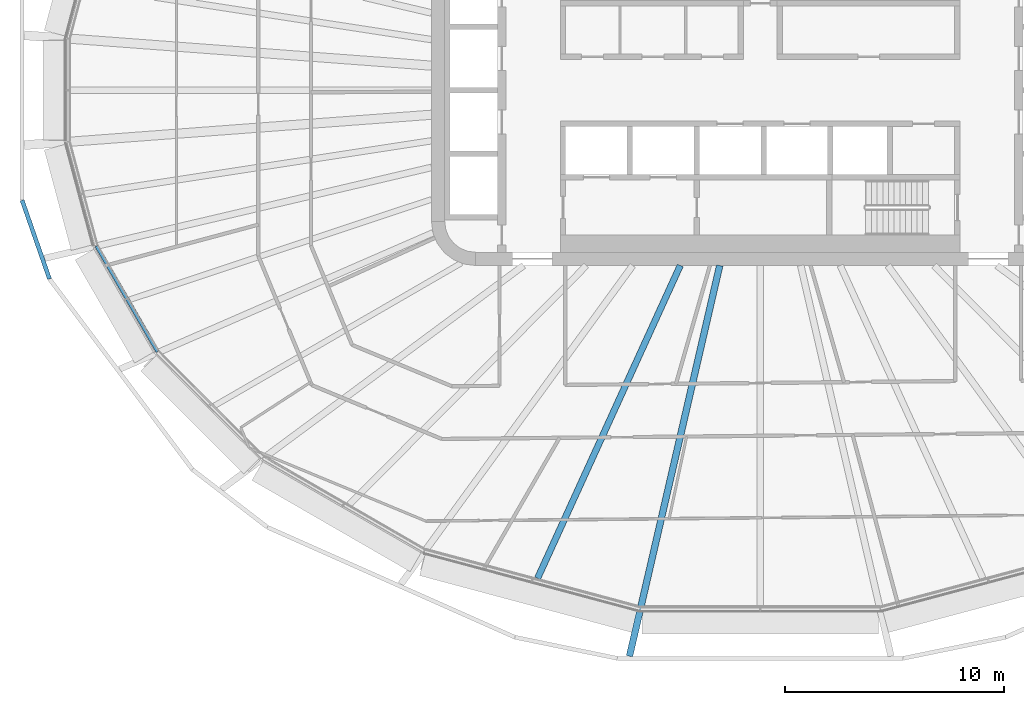
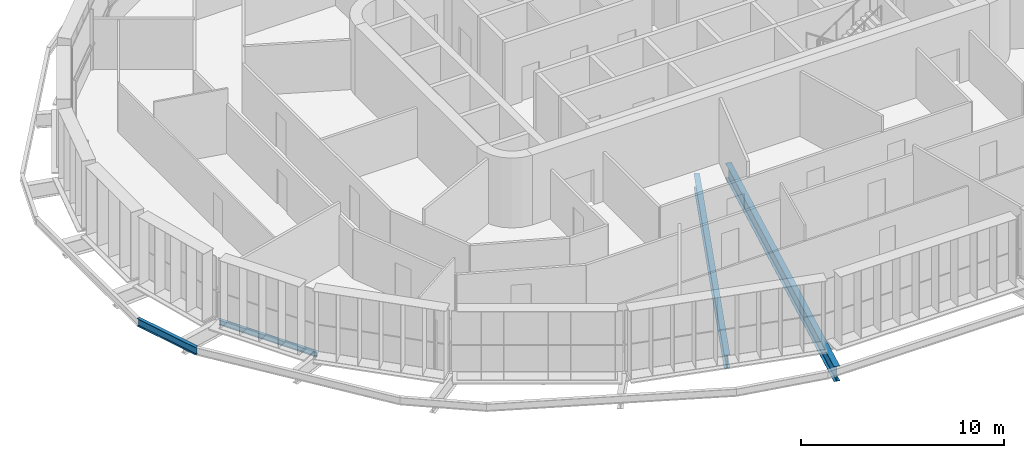
# One storey, part 2 of 26: 4 beams.
"""IFC4 building model written with IfcOpenShell, lengths in metres."""

from ifc_helpers import new_model, si_unit, direction, frame, origin, origin_2d, place, context, subcontext, project, spatial, i_section, extrude, material, material_profile, profile_set, type_object, element, save


model = new_model("IFC4")

# Units and contexts
model_context = context("Model", 3, precision=1e-05, world=origin(), true_north=direction((0.0, 1.0)))
body_context = subcontext(model_context, "Body", "Model", "MODEL_VIEW")
ifc_project = project(units=[si_unit("LENGTHUNIT", "METRE"), si_unit("AREAUNIT", "SQUARE_METRE"), si_unit("VOLUMEUNIT", "CUBIC_METRE"), si_unit("PLANEANGLEUNIT", "RADIAN"), si_unit("MASSUNIT", "GRAM", prefix="KILO")], contexts=[model_context])

# Site, building, storey
site_placement = place(None, origin())
site = spatial("IfcSite", under=ifc_project, at=site_placement, CompositionType="ELEMENT")
building_placement = place(site_placement, origin())
building = spatial("IfcBuilding", under=site, at=building_placement, Name="Sahrelin Media Tower", CompositionType="ELEMENT")
storey_placement = place(building_placement, frame((0.0, 0.0, 92.39990234375)))
storey = spatial("IfcBuildingStorey", under=building, at=storey_placement, Name="L17", CompositionType="ELEMENT", Elevation=92.39990234375)

# Beams
ifc_material = material(Name="Steel S355", Category="steel")
ifc_material_profile_1 = material_profile(ifc_material, i_section(OverallWidth=0.1650390625, OverallDepth=0.303466796875, WebThickness=0.006103515625, FlangeThickness=0.01025390625, FilletRadius=0.0087890625, at=origin_2d()), Name="UB 305x165x40")
ifc_profile_set_1 = profile_set([ifc_material_profile_1], Name="Steel S355")
beam_type_1 = type_object("IfcBeamType", Name="Edge beam EB2", PredefinedType="BEAM", material=ifc_profile_set_1)
beam_1_placement = place(storey_placement, frame((-27.500244140625, -11.923095703125, -0.301513671875), z_axis=(-0.499998387408, 0.866026334813, 0.0), x_axis=(-0.866026334813, -0.499998387408, 0.0)))
element("IfcBeam", 1, at=beam_1_placement, inside=storey, type_object=beam_type_1, Name="Edge beam L17-11", PredefinedType="BEAM", context=body_context, shape_type="SweptSolid", body=[
    extrude(i_section(OverallWidth=0.1650390625, OverallDepth=0.303466796875, WebThickness=0.006103515625, FlangeThickness=0.01025390625, FilletRadius=0.0087890625, at=origin_2d()), origin(), (0.0, 0.0, 1.0), 5.5654296875),
])
ifc_material_profile_2 = material_profile(ifc_material, i_section(OverallWidth=0.30322265625, OverallDepth=0.903076171875, WebThickness=0.01513671875, FlangeThickness=0.020263671875, FilletRadius=0.01904296875, at=origin_2d()), Name="UB 914x305x201")
ifc_profile_set_2 = profile_set([ifc_material_profile_2], Name="Steel S355")
beam_type_2 = type_object("IfcBeamType", Name="Radial primary beam PB11", PredefinedType="BEAM", material=ifc_profile_set_2)
beam_2_placement = place(storey_placement, frame((-1.847900390625, -8.0, -0.601318359375), z_axis=(-0.225039759271, -0.974349581386, 0.0), x_axis=(0.974349581386, -0.225039759271, 0.0)))
element("IfcBeam", 2, at=beam_2_placement, inside=storey, type_object=beam_type_2, Name="Radial beam L17-18", PredefinedType="BEAM", context=body_context, shape_type="SweptSolid", body=[
    extrude(i_section(OverallWidth=0.30322265625, OverallDepth=0.903076171875, WebThickness=0.01513671875, FlangeThickness=0.020263671875, FilletRadius=0.01904296875, at=origin_2d()), origin(), (0.0, 0.0, 1.0), 18.2998046875),
])
ifc_material_profile_3 = material_profile(ifc_material, i_section(OverallWidth=0.291748046875, OverallDepth=0.8349609375, WebThickness=0.013916015625, FlangeThickness=0.018798828125, FilletRadius=0.017822265625, at=origin_2d()), Name="UB 838x292x176")
ifc_profile_set_3 = profile_set([ifc_material_profile_3], Name="Steel S355")
beam_type_3 = type_object("IfcBeamType", Name="Radial secondary beam SB10", PredefinedType="BEAM", material=ifc_profile_set_3)
beam_3_placement = place(storey_placement, frame((-3.6494140625, -8.0, -0.5673828125), z_axis=(-0.415038402282, -0.909803893502, 0.0), x_axis=(0.909803893502, -0.415038402282, 0.0)))
element("IfcBeam", 3, at=beam_3_placement, inside=storey, type_object=beam_type_3, Name="Secondary beam L17-17", PredefinedType="BEAM", context=body_context, shape_type="SweptSolid", body=[
    extrude(i_section(OverallWidth=0.291748046875, OverallDepth=0.8349609375, WebThickness=0.013916015625, FlangeThickness=0.018798828125, FilletRadius=0.017822265625, at=origin_2d()), origin(), (0.0, 0.0, 1.0), 15.687744140625),
])
ifc_material_profile_4 = material_profile(ifc_material, i_section(OverallWidth=0.1904296875, OverallDepth=0.45703125, WebThickness=0.009033203125, FlangeThickness=0.014404296875, FilletRadius=0.01025390625, at=origin_2d()), Name="UB 457x191x74")
ifc_profile_set_4 = profile_set([ifc_material_profile_4], Name="Steel S355")
beam_type_4 = type_object("IfcBeamType", Name="Tie chord TC5", PredefinedType="BEAM", material=ifc_profile_set_4)
beam_4_placement = place(storey_placement, frame((-33.682861328125, -5.021484375, -0.37841796875), z_axis=(0.328791940532, -0.944402382378, 0.0), x_axis=(0.944402382378, 0.328791940532, 0.0)))
element("IfcBeam", 4, at=beam_4_placement, inside=storey, type_object=beam_type_4, Name="Tie chord L17-13", PredefinedType="BEAM", context=body_context, shape_type="SweptSolid", body=[
    extrude(i_section(OverallWidth=0.1904296875, OverallDepth=0.45703125, WebThickness=0.009033203125, FlangeThickness=0.014404296875, FilletRadius=0.01025390625, at=origin_2d()), origin(), (0.0, 0.0, 1.0), 3.803955078125),
])

save(model, "model.ifc")
